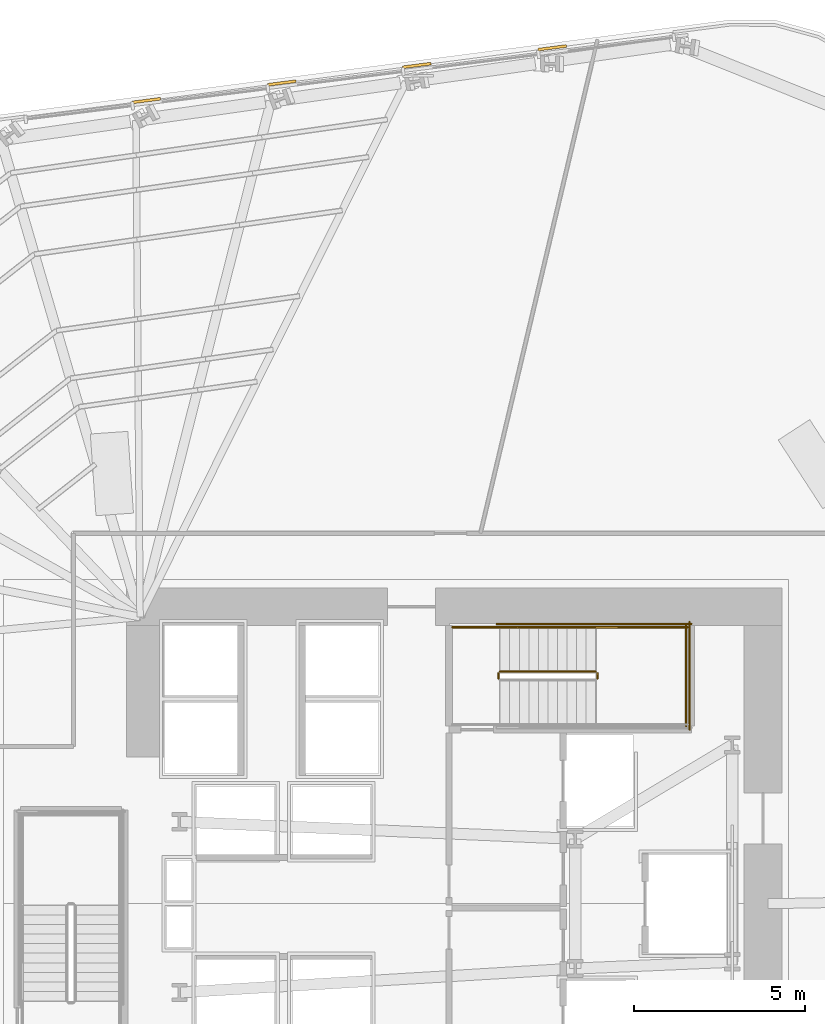
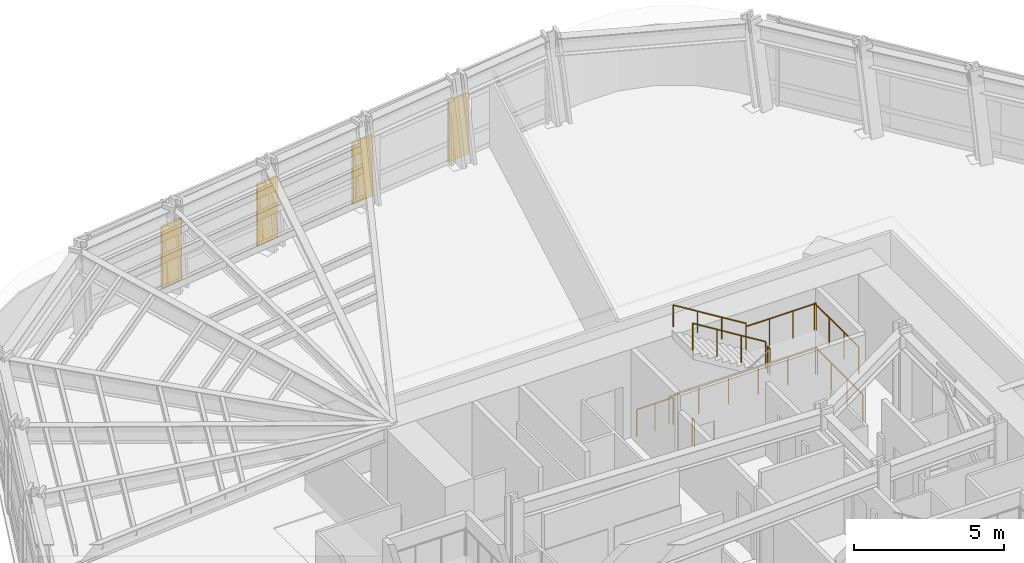
# One storey, part 14 of 16: 9 railings, 4 coverings.
"""IFC4 building model written with IfcOpenShell, lengths in metres."""

from ifc_helpers import new_model, si_unit, direction, frame, origin, origin_2d, place, context, subcontext, project, spatial, polyline, circle, outline, extrude, material, layer, layer_set, type_object, element, save


model = new_model("IFC4")

# Units and contexts
model_context = context("Model", 3, precision=1e-05, world=origin(), true_north=direction((0.0, 1.0)))
body_context = subcontext(model_context, "Body", "Model", "MODEL_VIEW")
ifc_project = project(units=[si_unit("LENGTHUNIT", "METRE"), si_unit("AREAUNIT", "SQUARE_METRE"), si_unit("VOLUMEUNIT", "CUBIC_METRE"), si_unit("PLANEANGLEUNIT", "RADIAN"), si_unit("MASSUNIT", "GRAM", prefix="KILO")], contexts=[model_context])

# Site, building, storey
site_placement = place(None, origin())
site = spatial("IfcSite", under=ifc_project, at=site_placement, CompositionType="ELEMENT")
building_placement = place(site_placement, origin())
building = spatial("IfcBuilding", under=site, at=building_placement, Name="Valkerne Bourse Tower", CompositionType="ELEMENT")
storey_placement = place(building_placement, frame((0.0, 0.0, 54.39990234375)))
storey = spatial("IfcBuildingStorey", under=building, at=storey_placement, Name="L13", CompositionType="ELEMENT", Elevation=54.39990234375)

# Coverings
ifc_material_1 = material(Name="Bronze Anodised Aluminium AA 6063-T6", Category="aluminium")
ifc_layer = layer(ifc_material_1, 0.06005859375)
ifc_layer_set = layer_set([ifc_layer], Name="Bronze Anodised Aluminium AA 6063-T6")
covering_type = type_object("IfcCoveringType", Name="COV-CRN-ALUM", PredefinedType="CLADDING", material=ifc_layer_set)
covering_1_placement = place(storey_placement, origin())
element("IfcCovering", 1, at=covering_1_placement, inside=storey, type_object=covering_type, Name="L13 Wind-Shaped Corner Aluminium Cladding 17", PredefinedType="CLADDING", context=body_context, shape_type="SweptSolid", body=[
    extrude(outline(polyline([(38.197509765625, 50.623291015625), (38.20751953125, 50.544189453125), (37.37451171875, 50.435791015625), (37.3642578125, 50.51513671875), (38.197509765625, 50.623291015625)])), origin(), (0.0, 0.0, 1.0), 2.5),
])
covering_2_placement = place(storey_placement, origin())
element("IfcCovering", 2, at=covering_2_placement, inside=storey, type_object=covering_type, Name="L13 Wind-Shaped Corner Aluminium Cladding 18", PredefinedType="CLADDING", context=body_context, shape_type="SweptSolid", body=[
    extrude(outline(polyline([(42.16015625, 51.138427734375), (42.170166015625, 51.05908203125), (41.337158203125, 50.950927734375), (41.326904296875, 51.0302734375), (42.16015625, 51.138427734375)])), origin(), (0.0, 0.0, 1.0), 2.5),
])
covering_3_placement = place(storey_placement, origin())
element("IfcCovering", 3, at=covering_3_placement, inside=storey, type_object=covering_type, Name="L13 Wind-Shaped Corner Aluminium Cladding 19", PredefinedType="CLADDING", context=body_context, shape_type="SweptSolid", body=[
    extrude(outline(polyline([(46.122802734375, 51.653564453125), (46.1328125, 51.57421875), (45.2998046875, 51.466064453125), (45.289794921875, 51.54541015625), (46.122802734375, 51.653564453125)])), origin(), (0.0, 0.0, 1.0), 2.5),
])
covering_4_placement = place(storey_placement, origin())
element("IfcCovering", 4, at=covering_4_placement, inside=storey, type_object=covering_type, Name="L13 Wind-Shaped Corner Aluminium Cladding 20", PredefinedType="CLADDING", context=body_context, shape_type="SweptSolid", body=[
    extrude(outline(polyline([(50.08544921875, 52.168701171875), (50.095458984375, 52.08935546875), (49.262451171875, 51.981201171875), (49.25244140625, 52.060546875), (50.08544921875, 52.168701171875)])), origin(), (0.0, 0.0, 1.0), 2.5),
])

# Railings
ifc_material_2 = material(Name="Galvanised Painted Steel", Category="steel")
railing_type_1 = type_object("IfcRailingType", Name="RLG-ST-GUARD-1120", PredefinedType="GUARDRAIL", material=ifc_material_2)
railing_1_placement = place(storey_placement, frame((51.0, 33.60009765625, 1.900146484375)))
element("IfcRailing", 5, at=railing_1_placement, inside=storey, type_object=railing_type_1, Name="L13 ST-2 stair guard 2", PredefinedType="GUARDRAIL", context=body_context, shape_type="SweptSolid", body=[
    extrude(circle(Radius=0.02392578125, at=origin_2d()), frame((0.0, 0.0, 1.09619140625), z_axis=(0.0, 1.0, 0.0), x_axis=(-1.0, 0.0, 0.0)), (0.0, 0.0, 1.0), 0.14990234375),
    extrude(circle(Radius=0.02099609375, at=origin_2d()), origin(), (0.0, 0.0, 1.0), 1.072021484375),
    extrude(circle(Radius=0.02099609375, at=origin_2d()), frame((0.0, 0.14990234375, 0.0)), (0.0, 0.0, 1.0), 1.072021484375),
])
railing_2_placement = place(storey_placement, frame((50.949951171875, 35.10009765625, 1.900146484375)))
element("IfcRailing", 6, at=railing_2_placement, inside=storey, type_object=railing_type_1, Name="L13 ST-2 stair guard 4", PredefinedType="GUARDRAIL", context=body_context, shape_type="SweptSolid", body=[
    extrude(circle(Radius=0.02392578125, at=origin_2d()), frame((0.0, 0.0, 1.09619140625), z_axis=(1.0, 0.0, 0.0), x_axis=(0.0, 1.0, 0.0)), (0.0, 0.0, 1.0), 2.699951171875),
    extrude(circle(Radius=0.02099609375, at=origin_2d()), origin(), (0.0, 0.0, 1.0), 1.072021484375),
    extrude(circle(Radius=0.02099609375, at=origin_2d()), frame((0.89990234375, 0.0, 0.0)), (0.0, 0.0, 1.0), 1.072021484375),
    extrude(circle(Radius=0.02099609375, at=origin_2d()), frame((1.800048828125, 0.0, 0.0)), (0.0, 0.0, 1.0), 1.072021484375),
    extrude(circle(Radius=0.02099609375, at=origin_2d()), frame((2.699951171875, 0.0, 0.0)), (0.0, 0.0, 1.0), 1.072021484375),
])
railing_3_placement = place(storey_placement, frame((53.60009765625, 32.199951171875, 1.900146484375)))
element("IfcRailing", 7, at=railing_3_placement, inside=storey, type_object=railing_type_1, Name="L13 ST-2 stair guard 5", PredefinedType="GUARDRAIL", context=body_context, shape_type="SweptSolid", body=[
    extrude(circle(Radius=0.02392578125, at=origin_2d()), frame((0.0, 0.0, 1.09619140625), z_axis=(0.0, 1.0, 0.0), x_axis=(-1.0, 0.0, 0.0)), (0.0, 0.0, 1.0), 2.949951171875),
    extrude(circle(Radius=0.02099609375, at=origin_2d()), origin(), (0.0, 0.0, 1.0), 1.072021484375),
    extrude(circle(Radius=0.02099609375, at=origin_2d()), frame((0.0, 0.9833984375, 0.0)), (0.0, 0.0, 1.0), 1.072021484375),
    extrude(circle(Radius=0.02099609375, at=origin_2d()), frame((0.0, 1.966552734375, 0.0)), (0.0, 0.0, 1.0), 1.072021484375),
    extrude(circle(Radius=0.02099609375, at=origin_2d()), frame((0.0, 2.949951171875, 0.0)), (0.0, 0.0, 1.0), 1.072021484375),
])
railing_4_placement = place(storey_placement, frame((50.949951171875, 33.800048828125, 2.07275390625)))
element("IfcRailing", 8, at=railing_4_placement, inside=storey, type_object=railing_type_1, Name="L13 ST-2 stair guard 6", PredefinedType="GUARDRAIL", context=body_context, shape_type="SweptSolid", body=[
    extrude(circle(Radius=0.02392578125, at=origin_2d()), frame((0.0, 0.0, 1.09619140625), z_axis=(-0.851089632645, 0.0, 0.525020415988), x_axis=(0.0, -1.0, 0.0)), (0.0, 0.0, 1.0), 3.2900390625),
    extrude(circle(Radius=0.02099609375, at=origin_2d()), origin(), (0.0, 0.0, 1.0), 1.072021484375),
    extrude(circle(Radius=0.02099609375, at=origin_2d()), frame((-0.933349609375, 0.0, 0.57568359375)), (0.0, 0.0, 1.0), 1.072021484375),
    extrude(circle(Radius=0.02099609375, at=origin_2d()), frame((-1.86669921875, 0.0, 1.151611328125)), (0.0, 0.0, 1.0), 1.072021484375),
    extrude(circle(Radius=0.02099609375, at=origin_2d()), frame((-2.800048828125, 0.0, 1.727294921875)), (0.0, 0.0, 1.0), 1.072021484375),
])
railing_5_placement = place(storey_placement, frame((48.10009765625, 33.60009765625, 0.0)))
element("IfcRailing", 9, at=railing_5_placement, inside=storey, type_object=railing_type_1, Name="L13 ST-2 stair guard 7", PredefinedType="GUARDRAIL", context=body_context, shape_type="SweptSolid", body=[
    extrude(circle(Radius=0.02392578125, at=origin_2d()), frame((0.0, 0.0, 1.09619140625), z_axis=(0.0, 1.0, 0.0), x_axis=(-1.0, 0.0, 0.0)), (0.0, 0.0, 1.0), 0.14990234375),
    extrude(circle(Radius=0.02099609375, at=origin_2d()), origin(), (0.0, 0.0, 1.0), 1.072021484375),
    extrude(circle(Radius=0.02099609375, at=origin_2d()), frame((0.0, 0.14990234375, 0.0)), (0.0, 0.0, 1.0), 1.072021484375),
])
railing_6_placement = place(storey_placement, frame((46.75, 35.10009765625, 0.0)))
element("IfcRailing", 10, at=railing_6_placement, inside=storey, type_object=railing_type_1, Name="L13 ST-2 stair guard 9", PredefinedType="GUARDRAIL", context=body_context, shape_type="SweptSolid", body=[
    extrude(circle(Radius=0.02392578125, at=origin_2d()), frame((0.0, 0.0, 1.09619140625), z_axis=(1.0, 0.0, 0.0), x_axis=(0.0, 1.0, 0.0)), (0.0, 0.0, 1.0), 1.39990234375),
    extrude(circle(Radius=0.02099609375, at=origin_2d()), origin(), (0.0, 0.0, 1.0), 1.072021484375),
    extrude(circle(Radius=0.02099609375, at=origin_2d()), frame((0.699951171875, 0.0, 0.0)), (0.0, 0.0, 1.0), 1.072021484375),
    extrude(circle(Radius=0.02099609375, at=origin_2d()), frame((1.39990234375, 0.0, 0.0)), (0.0, 0.0, 1.0), 1.072021484375),
])
railing_7_placement = place(storey_placement, frame((48.050048828125, 35.199951171875, 0.0)))
element("IfcRailing", 11, at=railing_7_placement, inside=storey, type_object=railing_type_1, Name="L13 ST-2 stair guard 11", PredefinedType="GUARDRAIL", context=body_context, shape_type="SweptSolid", body=[
    extrude(circle(Radius=0.02392578125, at=origin_2d()), frame((0.0, 0.0, 1.09619140625), z_axis=(1.0, 0.0, 0.0), x_axis=(0.0, 1.0, 0.0)), (0.0, 0.0, 1.0), 5.699951171875),
    extrude(circle(Radius=0.02099609375, at=origin_2d()), origin(), (0.0, 0.0, 1.0), 1.072021484375),
    extrude(circle(Radius=0.02099609375, at=origin_2d()), frame((1.139892578125, 0.0, 0.0)), (0.0, 0.0, 1.0), 1.072021484375),
    extrude(circle(Radius=0.02099609375, at=origin_2d()), frame((2.280029296875, 0.0, 0.0)), (0.0, 0.0, 1.0), 1.072021484375),
    extrude(circle(Radius=0.02099609375, at=origin_2d()), frame((3.419921875, 0.0, 0.0)), (0.0, 0.0, 1.0), 1.072021484375),
    extrude(circle(Radius=0.02099609375, at=origin_2d()), frame((4.56005859375, 0.0, 0.0)), (0.0, 0.0, 1.0), 1.072021484375),
    extrude(circle(Radius=0.02099609375, at=origin_2d()), frame((5.699951171875, 0.0, 0.0)), (0.0, 0.0, 1.0), 1.072021484375),
])
railing_8_placement = place(storey_placement, frame((53.699951171875, 32.10009765625, 0.0)))
element("IfcRailing", 12, at=railing_8_placement, inside=storey, type_object=railing_type_1, Name="L13 ST-2 stair guard 12", PredefinedType="GUARDRAIL", context=body_context, shape_type="SweptSolid", body=[
    extrude(circle(Radius=0.02392578125, at=origin_2d()), frame((0.0, 0.0, 1.09619140625), z_axis=(0.0, 1.0, 0.0), x_axis=(-1.0, 0.0, 0.0)), (0.0, 0.0, 1.0), 3.14990234375),
    extrude(circle(Radius=0.02099609375, at=origin_2d()), origin(), (0.0, 0.0, 1.0), 1.072021484375),
    extrude(circle(Radius=0.02099609375, at=origin_2d()), frame((0.0, 1.050048828125, 0.0)), (0.0, 0.0, 1.0), 1.072021484375),
    extrude(circle(Radius=0.02099609375, at=origin_2d()), frame((0.0, 2.099853515625, 0.0)), (0.0, 0.0, 1.0), 1.072021484375),
    extrude(circle(Radius=0.02099609375, at=origin_2d()), frame((0.0, 3.14990234375, 0.0)), (0.0, 0.0, 1.0), 1.072021484375),
])
ifc_material_3 = material(Name="Stainless Steel AISI 316", Category="steel")
railing_type_2 = type_object("IfcRailingType", Name="RLG-ST-HANDRAIL-900", PredefinedType="HANDRAIL", material=ifc_material_3)
railing_9_placement = place(storey_placement, frame((50.949951171875, 35.10009765625, 2.24560546875)))
element("IfcRailing", 13, at=railing_9_placement, inside=storey, type_object=railing_type_2, Name="L13 ST-2 stair handrail 2", PredefinedType="HANDRAIL", context=body_context, shape_type="SweptSolid", body=[
    extrude(circle(Radius=0.02392578125, at=origin_2d()), frame((0.0, 0.0, 0.8759765625), z_axis=(-0.851089632645, 0.0, 0.525020415988), x_axis=(0.0, -1.0, 0.0)), (0.0, 0.0, 1.0), 3.2900390625),
    extrude(circle(Radius=0.02099609375, at=origin_2d()), origin(), (0.0, 0.0, 1.0), 0.851806640625),
    extrude(circle(Radius=0.02099609375, at=origin_2d()), frame((-0.933349609375, 0.0, 0.57568359375)), (0.0, 0.0, 1.0), 0.851806640625),
    extrude(circle(Radius=0.02099609375, at=origin_2d()), frame((-1.86669921875, 0.0, 1.151611328125)), (0.0, 0.0, 1.0), 0.851806640625),
    extrude(circle(Radius=0.02099609375, at=origin_2d()), frame((-2.800048828125, 0.0, 1.727294921875)), (0.0, 0.0, 1.0), 0.851806640625),
])

save(model, "model.ifc")
